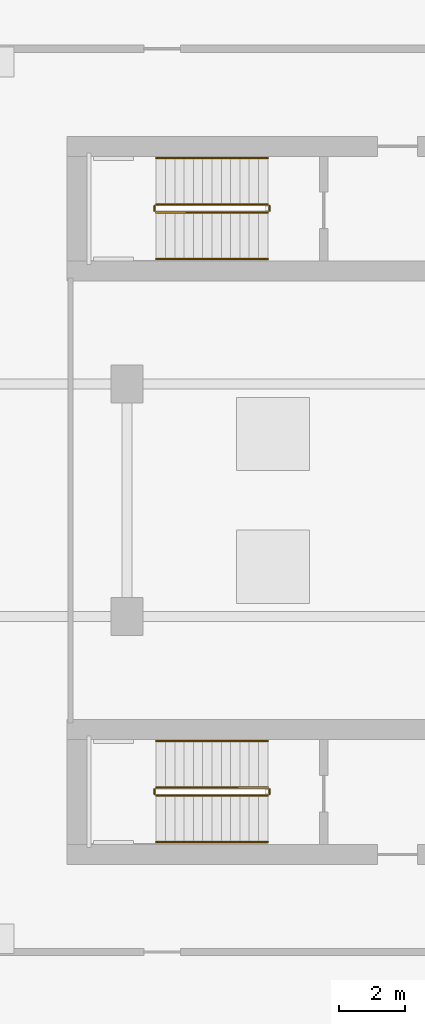
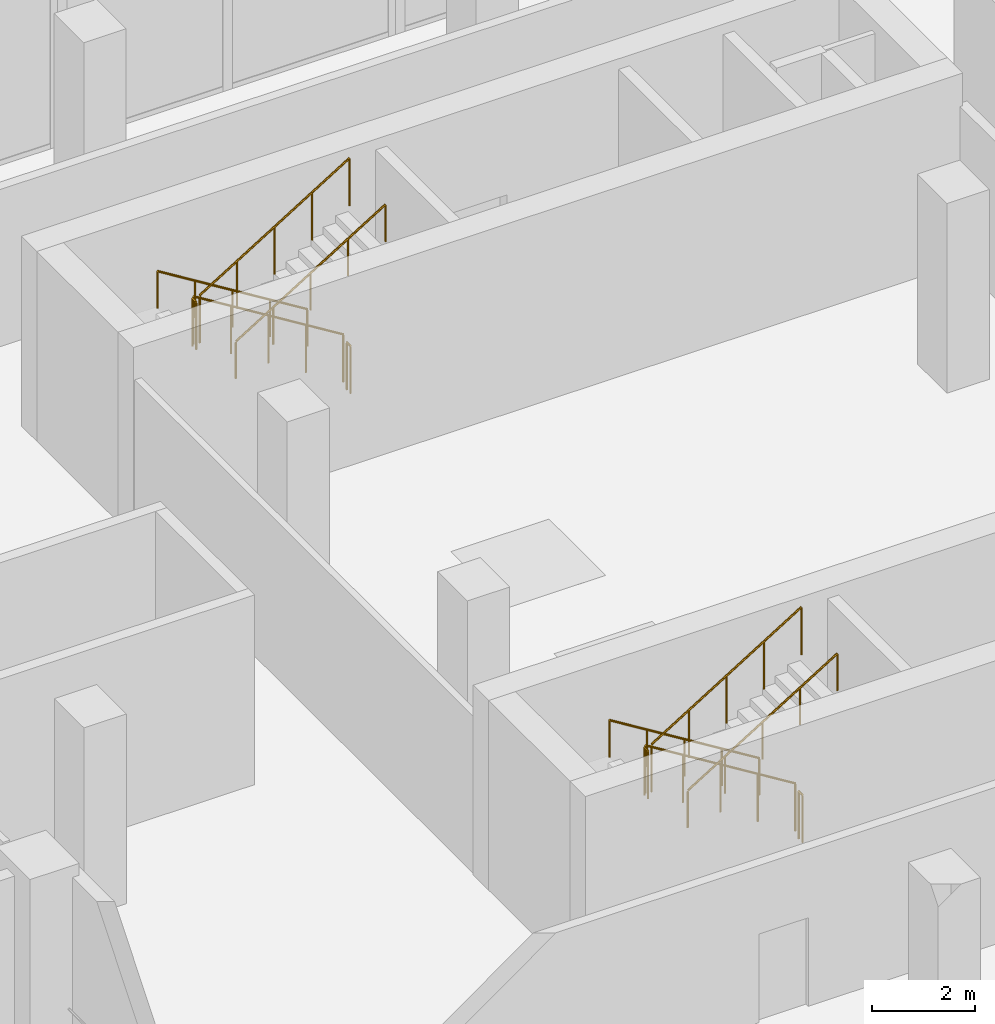
# One storey, part 21 of 21: 12 railings.
"""IFC4 building model written with IfcOpenShell, lengths in metres."""

from ifc_helpers import new_model, si_unit, derived_unit, direction, frame, origin, origin_2d, place, context, subcontext, project, spatial, circle, extrude, material, type_object, element, save


model = new_model("IFC4")

# Units and contexts
model_context = context("Model", 3, precision=1e-05, world=origin(), true_north=direction((0.0, 1.0)))
body_context = subcontext(model_context, "Body", "Model", "MODEL_VIEW")
ifc_project = project(units=[si_unit("LENGTHUNIT", "METRE"), si_unit("AREAUNIT", "SQUARE_METRE"), si_unit("VOLUMEUNIT", "CUBIC_METRE"), si_unit("PLANEANGLEUNIT", "RADIAN"), si_unit("MASSUNIT", "GRAM", prefix="KILO"), derived_unit("THERMALTRANSMITTANCEUNIT", [(si_unit("POWERUNIT", "WATT"), 1), (si_unit("LENGTHUNIT", "METRE"), -2), (si_unit("THERMODYNAMICTEMPERATUREUNIT", "KELVIN"), -1)])], contexts=[model_context])

# Site, building, storey
site_placement = place(None, origin())
site = spatial("IfcSite", under=ifc_project, at=site_placement, CompositionType="ELEMENT")
building_placement = place(site_placement, origin())
building = spatial("IfcBuilding", under=site, at=building_placement, Name="Kivonza Crest Hotel", CompositionType="ELEMENT")
storey_placement = place(building_placement, frame((0.0, 0.0, 19.5)))
storey = spatial("IfcBuildingStorey", under=building, at=storey_placement, Name="L04", CompositionType="ELEMENT", Elevation=19.5)

# Railings
ifc_material_1 = material(Name="Brushed stainless steel handrail", Category="steel")
railing_type_1 = type_object("IfcRailingType", Name="RL-HAND-900", PredefinedType="HANDRAIL", material=ifc_material_1)
railing_1_placement = place(storey_placement, frame((73.840087890625, 35.31005859375, 0.173095703125)))
element("IfcRailing", 1, at=railing_1_placement, inside=storey, type_object=railing_type_1, Name="L04 ST-T2-N stair handrail 1", PredefinedType="HANDRAIL", context=body_context, shape_type="SweptSolid", body=[
    extrude(circle(Radius=0.02392578125, at=origin_2d()), frame((0.0, 0.0, 0.8759765625), z_axis=(-0.850623216509, 0.0, 0.525775754039), x_axis=(0.0, -1.0, 0.0)), (0.0, 0.0, 1.0), 3.9501953125),
    extrude(circle(Radius=0.02099609375, at=origin_2d()), origin(), (0.0, 0.0, 1.0), 0.851806640625),
    extrude(circle(Radius=0.02099609375, at=origin_2d()), frame((-0.840087890625, 0.0, 0.519287109375)), (0.0, 0.0, 1.0), 0.851806640625),
    extrude(circle(Radius=0.02099609375, at=origin_2d()), frame((-1.68017578125, 0.0, 1.03857421875)), (0.0, 0.0, 1.0), 0.851806640625),
    extrude(circle(Radius=0.02099609375, at=origin_2d()), frame((-2.52001953125, 0.0, 1.5576171875)), (0.0, 0.0, 1.0), 0.851806640625),
    extrude(circle(Radius=0.02099609375, at=origin_2d()), frame((-3.360107421875, 0.0, 2.076904296875)), (0.0, 0.0, 1.0), 0.851806640625),
])
railing_2_placement = place(storey_placement, frame((70.47998046875, 32.27001953125, 2.423095703125)))
element("IfcRailing", 2, at=railing_2_placement, inside=storey, type_object=railing_type_1, Name="L04 ST-T2-N stair handrail 2", PredefinedType="HANDRAIL", context=body_context, shape_type="SweptSolid", body=[
    extrude(circle(Radius=0.02392578125, at=origin_2d()), frame((0.0, 0.0, 0.8759765625), z_axis=(0.850623216509, 0.0, 0.525775754039), x_axis=(0.0, 1.0, 0.0)), (0.0, 0.0, 1.0), 3.9501953125),
    extrude(circle(Radius=0.02099609375, at=origin_2d()), origin(), (0.0, 0.0, 1.0), 0.851806640625),
    extrude(circle(Radius=0.02099609375, at=origin_2d()), frame((0.840087890625, 0.0, 0.519287109375)), (0.0, 0.0, 1.0), 0.851806640625),
    extrude(circle(Radius=0.02099609375, at=origin_2d()), frame((1.68017578125, 0.0, 1.03857421875)), (0.0, 0.0, 1.0), 0.851806640625),
    extrude(circle(Radius=0.02099609375, at=origin_2d()), frame((2.52001953125, 0.0, 1.5576171875)), (0.0, 0.0, 1.0), 0.851806640625),
    extrude(circle(Radius=0.02099609375, at=origin_2d()), frame((3.360107421875, 0.0, 2.076904296875)), (0.0, 0.0, 1.0), 0.851806640625),
])
railing_3_placement = place(storey_placement, frame((73.840087890625, 17.75, 0.173095703125)))
element("IfcRailing", 3, at=railing_3_placement, inside=storey, type_object=railing_type_1, Name="L04 ST-T2-S stair handrail 1", PredefinedType="HANDRAIL", context=body_context, shape_type="SweptSolid", body=[
    extrude(circle(Radius=0.02392578125, at=origin_2d()), frame((0.0, 0.0, 0.8759765625), z_axis=(-0.850623216509, 0.0, 0.525775754039), x_axis=(0.0, -1.0, 0.0)), (0.0, 0.0, 1.0), 3.9501953125),
    extrude(circle(Radius=0.02099609375, at=origin_2d()), origin(), (0.0, 0.0, 1.0), 0.851806640625),
    extrude(circle(Radius=0.02099609375, at=origin_2d()), frame((-0.840087890625, 0.0, 0.519287109375)), (0.0, 0.0, 1.0), 0.851806640625),
    extrude(circle(Radius=0.02099609375, at=origin_2d()), frame((-1.68017578125, 0.0, 1.03857421875)), (0.0, 0.0, 1.0), 0.851806640625),
    extrude(circle(Radius=0.02099609375, at=origin_2d()), frame((-2.52001953125, 0.0, 1.5576171875)), (0.0, 0.0, 1.0), 0.851806640625),
    extrude(circle(Radius=0.02099609375, at=origin_2d()), frame((-3.360107421875, 0.0, 2.076904296875)), (0.0, 0.0, 1.0), 0.851806640625),
])
railing_4_placement = place(storey_placement, frame((70.47998046875, 14.7099609375, 2.423095703125)))
element("IfcRailing", 4, at=railing_4_placement, inside=storey, type_object=railing_type_1, Name="L04 ST-T2-S stair handrail 2", PredefinedType="HANDRAIL", context=body_context, shape_type="SweptSolid", body=[
    extrude(circle(Radius=0.02392578125, at=origin_2d()), frame((0.0, 0.0, 0.8759765625), z_axis=(0.850623216509, 0.0, 0.525775754039), x_axis=(0.0, 1.0, 0.0)), (0.0, 0.0, 1.0), 3.9501953125),
    extrude(circle(Radius=0.02099609375, at=origin_2d()), origin(), (0.0, 0.0, 1.0), 0.851806640625),
    extrude(circle(Radius=0.02099609375, at=origin_2d()), frame((0.840087890625, 0.0, 0.519287109375)), (0.0, 0.0, 1.0), 0.851806640625),
    extrude(circle(Radius=0.02099609375, at=origin_2d()), frame((1.68017578125, 0.0, 1.03857421875)), (0.0, 0.0, 1.0), 0.851806640625),
    extrude(circle(Radius=0.02099609375, at=origin_2d()), frame((2.52001953125, 0.0, 1.5576171875)), (0.0, 0.0, 1.0), 0.851806640625),
    extrude(circle(Radius=0.02099609375, at=origin_2d()), frame((3.360107421875, 0.0, 2.076904296875)), (0.0, 0.0, 1.0), 0.851806640625),
])
ifc_material_2 = material(Name="Painted steel balustrade", Category="steel")
railing_type_2 = type_object("IfcRailingType", Name="RL-STAIR-1150", PredefinedType="BALUSTRADE", material=ifc_material_2)
railing_5_placement = place(storey_placement, frame((73.840087890625, 33.909912109375, 0.173095703125)))
element("IfcRailing", 5, at=railing_5_placement, inside=storey, type_object=railing_type_2, Name="L04 ST-T2-N stair guard 1", PredefinedType="BALUSTRADE", context=body_context, shape_type="SweptSolid", body=[
    extrude(circle(Radius=0.02392578125, at=origin_2d()), frame((0.0, 0.0, 1.1259765625), z_axis=(-0.850623216509, 0.0, 0.525775754039), x_axis=(0.0, -1.0, 0.0)), (0.0, 0.0, 1.0), 3.9501953125),
    extrude(circle(Radius=0.02099609375, at=origin_2d()), origin(), (0.0, 0.0, 1.0), 1.101806640625),
    extrude(circle(Radius=0.02099609375, at=origin_2d()), frame((-0.840087890625, 0.0, 0.519287109375)), (0.0, 0.0, 1.0), 1.101806640625),
    extrude(circle(Radius=0.02099609375, at=origin_2d()), frame((-1.68017578125, 0.0, 1.03857421875)), (0.0, 0.0, 1.0), 1.101806640625),
    extrude(circle(Radius=0.02099609375, at=origin_2d()), frame((-2.52001953125, 0.0, 1.5576171875)), (0.0, 0.0, 1.0), 1.101806640625),
    extrude(circle(Radius=0.02099609375, at=origin_2d()), frame((-3.360107421875, 0.0, 2.076904296875)), (0.0, 0.0, 1.0), 1.101806640625),
])
railing_6_placement = place(storey_placement, frame((70.429931640625, 33.860107421875, 2.25)))
element("IfcRailing", 6, at=railing_6_placement, inside=storey, type_object=railing_type_2, Name="L04 ST-T2-N stair guard 2", PredefinedType="BALUSTRADE", context=body_context, shape_type="SweptSolid", body=[
    extrude(circle(Radius=0.02392578125, at=origin_2d()), frame((0.0, 0.0, 1.1259765625), z_axis=(0.0, -1.0, 0.0), x_axis=(1.0, 0.0, 0.0)), (0.0, 0.0, 1.0), 0.14013671875),
    extrude(circle(Radius=0.02099609375, at=origin_2d()), origin(), (0.0, 0.0, 1.0), 1.101806640625),
    extrude(circle(Radius=0.02099609375, at=origin_2d()), frame((0.0, -0.14013671875, 0.0)), (0.0, 0.0, 1.0), 1.101806640625),
])
railing_7_placement = place(storey_placement, frame((70.47998046875, 33.669921875, 2.423095703125)))
element("IfcRailing", 7, at=railing_7_placement, inside=storey, type_object=railing_type_2, Name="L04 ST-T2-N stair guard 3", PredefinedType="BALUSTRADE", context=body_context, shape_type="SweptSolid", body=[
    extrude(circle(Radius=0.02392578125, at=origin_2d()), frame((0.0, 0.0, 1.1259765625), z_axis=(0.850623216509, 0.0, 0.525775754039), x_axis=(0.0, 1.0, 0.0)), (0.0, 0.0, 1.0), 3.9501953125),
    extrude(circle(Radius=0.02099609375, at=origin_2d()), origin(), (0.0, 0.0, 1.0), 1.101806640625),
    extrude(circle(Radius=0.02099609375, at=origin_2d()), frame((0.840087890625, 0.0, 0.519287109375)), (0.0, 0.0, 1.0), 1.101806640625),
    extrude(circle(Radius=0.02099609375, at=origin_2d()), frame((1.68017578125, 0.0, 1.03857421875)), (0.0, 0.0, 1.0), 1.101806640625),
    extrude(circle(Radius=0.02099609375, at=origin_2d()), frame((2.52001953125, 0.0, 1.5576171875)), (0.0, 0.0, 1.0), 1.101806640625),
    extrude(circle(Radius=0.02099609375, at=origin_2d()), frame((3.360107421875, 0.0, 2.076904296875)), (0.0, 0.0, 1.0), 1.101806640625),
])
railing_8_placement = place(storey_placement, frame((73.889892578125, 33.860107421875, 0.0)))
element("IfcRailing", 8, at=railing_8_placement, inside=storey, type_object=railing_type_2, Name="L04 ST-T2-N stair guard 4", PredefinedType="BALUSTRADE", context=body_context, shape_type="SweptSolid", body=[
    extrude(circle(Radius=0.02392578125, at=origin_2d()), frame((0.0, 0.0, 1.1259765625), z_axis=(0.0, -1.0, 0.0), x_axis=(1.0, 0.0, 0.0)), (0.0, 0.0, 1.0), 0.14013671875),
    extrude(circle(Radius=0.02099609375, at=origin_2d()), origin(), (0.0, 0.0, 1.0), 1.101806640625),
    extrude(circle(Radius=0.02099609375, at=origin_2d()), frame((0.0, -0.14013671875, 0.0)), (0.0, 0.0, 1.0), 1.101806640625),
])
railing_9_placement = place(storey_placement, frame((73.840087890625, 16.35009765625, 0.173095703125)))
element("IfcRailing", 9, at=railing_9_placement, inside=storey, type_object=railing_type_2, Name="L04 ST-T2-S stair guard 1", PredefinedType="BALUSTRADE", context=body_context, shape_type="SweptSolid", body=[
    extrude(circle(Radius=0.02392578125, at=origin_2d()), frame((0.0, 0.0, 1.1259765625), z_axis=(-0.850623216509, 0.0, 0.525775754039), x_axis=(0.0, -1.0, 0.0)), (0.0, 0.0, 1.0), 3.9501953125),
    extrude(circle(Radius=0.02099609375, at=origin_2d()), origin(), (0.0, 0.0, 1.0), 1.101806640625),
    extrude(circle(Radius=0.02099609375, at=origin_2d()), frame((-0.840087890625, 0.0, 0.519287109375)), (0.0, 0.0, 1.0), 1.101806640625),
    extrude(circle(Radius=0.02099609375, at=origin_2d()), frame((-1.68017578125, 0.0, 1.03857421875)), (0.0, 0.0, 1.0), 1.101806640625),
    extrude(circle(Radius=0.02099609375, at=origin_2d()), frame((-2.52001953125, 0.0, 1.5576171875)), (0.0, 0.0, 1.0), 1.101806640625),
    extrude(circle(Radius=0.02099609375, at=origin_2d()), frame((-3.360107421875, 0.0, 2.076904296875)), (0.0, 0.0, 1.0), 1.101806640625),
])
railing_10_placement = place(storey_placement, frame((70.429931640625, 16.300048828125, 2.25)))
element("IfcRailing", 10, at=railing_10_placement, inside=storey, type_object=railing_type_2, Name="L04 ST-T2-S stair guard 2", PredefinedType="BALUSTRADE", context=body_context, shape_type="SweptSolid", body=[
    extrude(circle(Radius=0.02392578125, at=origin_2d()), frame((0.0, 0.0, 1.1259765625), z_axis=(0.0, -1.0, 0.0), x_axis=(1.0, 0.0, 0.0)), (0.0, 0.0, 1.0), 0.14013671875),
    extrude(circle(Radius=0.02099609375, at=origin_2d()), origin(), (0.0, 0.0, 1.0), 1.101806640625),
    extrude(circle(Radius=0.02099609375, at=origin_2d()), frame((0.0, -0.14013671875, 0.0)), (0.0, 0.0, 1.0), 1.101806640625),
])
railing_11_placement = place(storey_placement, frame((70.47998046875, 16.110107421875, 2.423095703125)))
element("IfcRailing", 11, at=railing_11_placement, inside=storey, type_object=railing_type_2, Name="L04 ST-T2-S stair guard 3", PredefinedType="BALUSTRADE", context=body_context, shape_type="SweptSolid", body=[
    extrude(circle(Radius=0.02392578125, at=origin_2d()), frame((0.0, 0.0, 1.1259765625), z_axis=(0.850623216509, 0.0, 0.525775754039), x_axis=(0.0, 1.0, 0.0)), (0.0, 0.0, 1.0), 3.9501953125),
    extrude(circle(Radius=0.02099609375, at=origin_2d()), origin(), (0.0, 0.0, 1.0), 1.101806640625),
    extrude(circle(Radius=0.02099609375, at=origin_2d()), frame((0.840087890625, 0.0, 0.519287109375)), (0.0, 0.0, 1.0), 1.101806640625),
    extrude(circle(Radius=0.02099609375, at=origin_2d()), frame((1.68017578125, 0.0, 1.03857421875)), (0.0, 0.0, 1.0), 1.101806640625),
    extrude(circle(Radius=0.02099609375, at=origin_2d()), frame((2.52001953125, 0.0, 1.5576171875)), (0.0, 0.0, 1.0), 1.101806640625),
    extrude(circle(Radius=0.02099609375, at=origin_2d()), frame((3.360107421875, 0.0, 2.076904296875)), (0.0, 0.0, 1.0), 1.101806640625),
])
railing_12_placement = place(storey_placement, frame((73.889892578125, 16.300048828125, 0.0)))
element("IfcRailing", 12, at=railing_12_placement, inside=storey, type_object=railing_type_2, Name="L04 ST-T2-S stair guard 4", PredefinedType="BALUSTRADE", context=body_context, shape_type="SweptSolid", body=[
    extrude(circle(Radius=0.02392578125, at=origin_2d()), frame((0.0, 0.0, 1.1259765625), z_axis=(0.0, -1.0, 0.0), x_axis=(1.0, 0.0, 0.0)), (0.0, 0.0, 1.0), 0.14013671875),
    extrude(circle(Radius=0.02099609375, at=origin_2d()), origin(), (0.0, 0.0, 1.0), 1.101806640625),
    extrude(circle(Radius=0.02099609375, at=origin_2d()), frame((0.0, -0.14013671875, 0.0)), (0.0, 0.0, 1.0), 1.101806640625),
])

save(model, "model.ifc")
